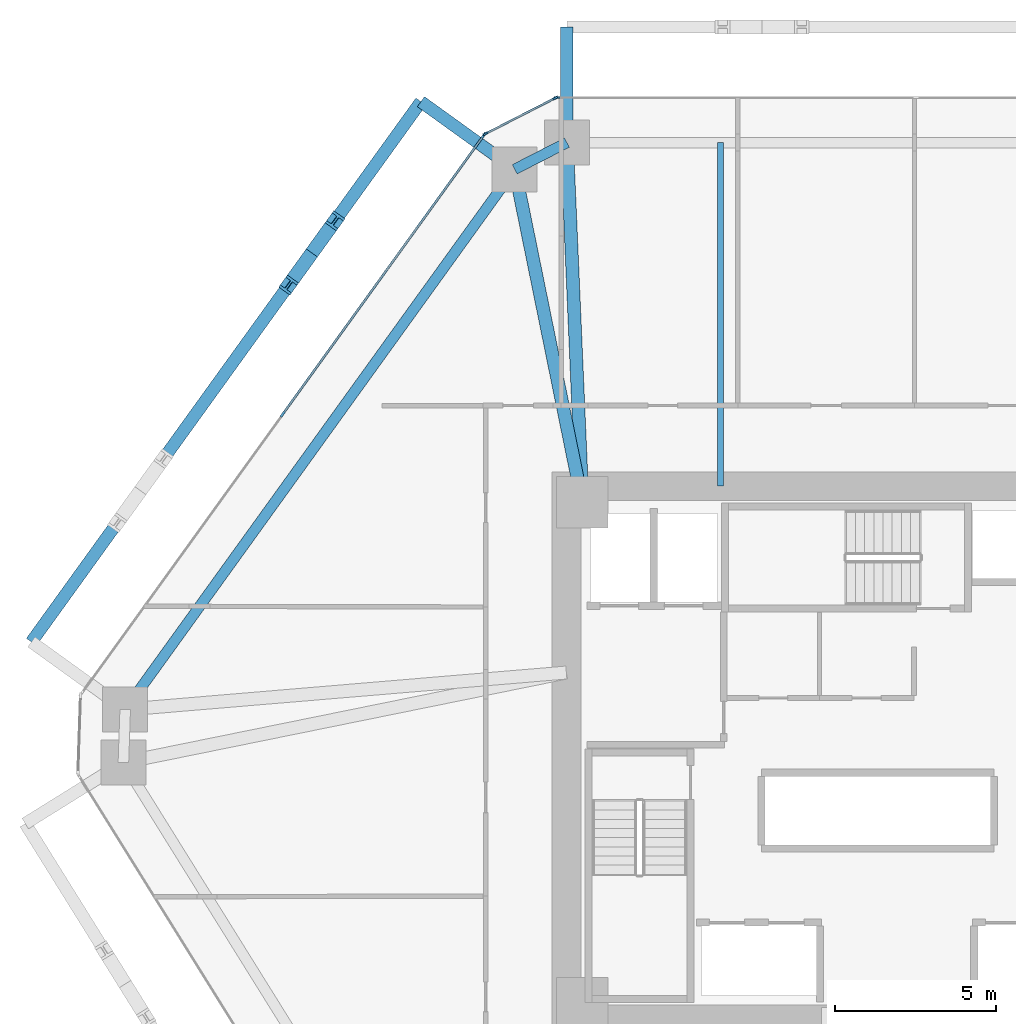
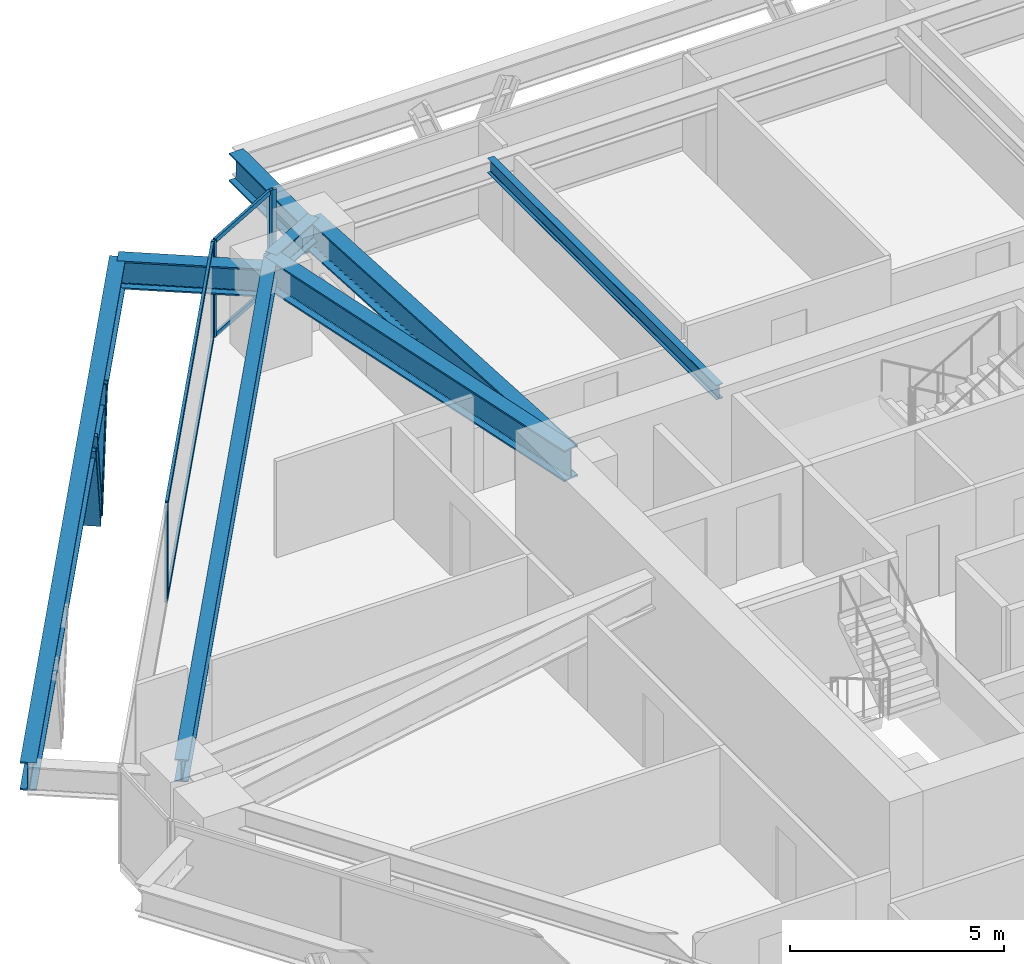
# One storey, part 7 of 15: 11 members, 8 beams, 3 elements without a shape of their own.
"""IFC4 building model written with IfcOpenShell, lengths in metres."""

from ifc_helpers import new_model, si_unit, direction, frame, origin, origin_2d, place, context, subcontext, project, spatial, rectangle, i_section, extrude, source, transform, mapped, material, layer, layer_set, material_profile, profile_set, type_object, type_shapes, element, aggregate, save


model = new_model("IFC4")

# Units and contexts
model_context = context("Model", 3, precision=1e-05, world=origin(), true_north=direction((0.0, 1.0)))
body_context = subcontext(model_context, "Body", "Model", "MODEL_VIEW")
ifc_project = project(units=[si_unit("LENGTHUNIT", "METRE"), si_unit("AREAUNIT", "SQUARE_METRE"), si_unit("VOLUMEUNIT", "CUBIC_METRE"), si_unit("PLANEANGLEUNIT", "RADIAN"), si_unit("MASSUNIT", "GRAM", prefix="KILO")], contexts=[model_context])

# Site, building, storey
site_placement = place(None, origin())
site = spatial("IfcSite", under=ifc_project, at=site_placement, CompositionType="ELEMENT")
building_placement = place(site_placement, origin())
building = spatial("IfcBuilding", under=site, at=building_placement, Name="Durnholm Broadcast Tower", CompositionType="ELEMENT")
storey_placement = place(building_placement, frame((0.0, 0.0, 75.300048828125)))
storey = spatial("IfcBuildingStorey", under=building, at=storey_placement, Name="L19", CompositionType="ELEMENT", Elevation=75.300048828125)

# Beams
ifc_material_1 = material(Name="Steel ASTM A992 Grade 50", Category="steel")
ifc_material_profile_1 = material_profile(ifc_material_1, i_section(OverallWidth=0.3291015625, OverallDepth=0.635009765625, WebThickness=0.017822265625, FlangeThickness=0.031005859375, FilletRadius=0.02783203125, at=origin_2d()), Name="W24X162")
ifc_profile_set_1 = profile_set([ifc_material_profile_1], Name="Steel ASTM A992 Grade 50")
beam_type_1 = type_object("IfcBeamType", Name="STL-SP-W24X162", PredefinedType="SPANDREL", material=ifc_profile_set_1)
shared_shape_1 = source(origin(), body_context, "Body", "SweptSolid", [
    extrude(i_section(OverallWidth=0.3291015625, OverallDepth=0.635009765625, WebThickness=0.017822265625, FlangeThickness=0.031005859375, FilletRadius=0.02783203125, at=origin_2d()), origin(), (0.0, 0.0, 1.0), 20.737060546875),
])
beam_1_placement = place(storey_placement, frame((-24.034912109375, 1.347412109375, 2.427490234375), z_axis=(0.584821933191, 0.811161701795, 0.0), x_axis=(-0.811161701795, 0.584821933191, 0.0)))
element("IfcBeam", 1, at=beam_1_placement, inside=storey, type_object=beam_type_1, Name="L19 perimeter spandrel girder 03", PredefinedType="SPANDREL", context=body_context, shape_type="MappedRepresentation", body=[
    mapped(shared_shape_1, transform((0.0, 0.0, 0.0), x_axis=(1.0, 0.0, 0.0), y_axis=(0.0, 1.0, 0.0), z_axis=(0.0, 0.0, 1.0), scale=1.0)),
])
shared_shape_2 = source(origin(), body_context, "Body", "SweptSolid", [
    extrude(i_section(OverallWidth=0.3291015625, OverallDepth=0.635009765625, WebThickness=0.017822265625, FlangeThickness=0.031005859375, FilletRadius=0.02783203125, at=origin_2d()), origin(), (0.0, 0.0, 1.0), 1.8251953125),
])
type_shapes(beam_type_1, [shared_shape_1, shared_shape_2])
beam_2_placement = place(storey_placement, frame((-11.907470703125, 18.16845703125, 2.427490234375), z_axis=(0.890187609501, 0.455594139438, 0.0), x_axis=(-0.455594139438, 0.890187609501, 0.0)))
element("IfcBeam", 2, at=beam_2_placement, inside=storey, type_object=beam_type_1, Name="L19 perimeter spandrel girder 04", PredefinedType="SPANDREL", context=body_context, shape_type="MappedRepresentation", body=[
    mapped(shared_shape_2, transform((0.0, 0.0, 0.0), x_axis=(1.0, 0.0, 0.0), y_axis=(0.0, 1.0, 0.0), z_axis=(0.0, 0.0, 1.0), scale=1.0)),
])
ifc_material_profile_2 = material_profile(ifc_material_1, i_section(OverallWidth=0.404052734375, OverallDepth=0.885009765625, WebThickness=0.0244140625, FlangeThickness=0.0439453125, FilletRadius=0.03564453125, at=origin_2d()), Name="W33X291")
ifc_profile_set_2 = profile_set([ifc_material_profile_2], Name="Steel ASTM A992 Grade 50")
beam_type_2 = type_object("IfcBeamType", Name="STL-GR-W33X291", PredefinedType="USERDEFINED", material=ifc_profile_set_2)
shared_shape_3 = source(origin(), body_context, "Body", "SweptSolid", [
    extrude(i_section(OverallWidth=0.404052734375, OverallDepth=0.885009765625, WebThickness=0.0244140625, FlangeThickness=0.0439453125, FilletRadius=0.03564453125, at=origin_2d()), origin(), (0.0, 0.0, 1.0), 10.580322265625),
])
beam_3_placement = place(storey_placement, frame((-9.800048828125, 7.800048828125, 2.302490234375), z_axis=(-0.199181458925, 0.979962625012, 0.0), x_axis=(-0.979962625012, -0.199181458925, 0.0)))
element("IfcBeam", 3, at=beam_3_placement, inside=storey, type_object=beam_type_2, Name="L19 radial primary floor girder 04", ObjectType="GIRDER", PredefinedType="USERDEFINED", context=body_context, shape_type="MappedRepresentation", body=[
    mapped(shared_shape_3, transform((0.0, 0.0, 0.0), x_axis=(1.0, 0.0, 0.0), y_axis=(0.0, 1.0, 0.0), z_axis=(0.0, 0.0, 1.0), scale=1.0)),
])
shared_shape_4 = source(origin(), body_context, "Body", "SweptSolid", [
    extrude(i_section(OverallWidth=0.404052734375, OverallDepth=0.885009765625, WebThickness=0.0244140625, FlangeThickness=0.0439453125, FilletRadius=0.03564453125, at=origin_2d()), origin(), (0.0, 0.0, 1.0), 11.21044921875),
])
type_shapes(beam_type_2, [shared_shape_3, shared_shape_4])
beam_4_placement = place(storey_placement, frame((-9.800048828125, 7.800048828125, 2.302490234375), z_axis=(-0.043055404914, 0.999072686098, 0.0), x_axis=(-0.999072686098, -0.043055404914, 0.0)))
element("IfcBeam", 4, at=beam_4_placement, inside=storey, type_object=beam_type_2, Name="L19 radial primary floor girder 05", ObjectType="GIRDER", PredefinedType="USERDEFINED", context=body_context, shape_type="MappedRepresentation", body=[
    mapped(shared_shape_4, transform((0.0, 0.0, 0.0), x_axis=(1.0, 0.0, 0.0), y_axis=(0.0, 1.0, 0.0), z_axis=(0.0, 0.0, 1.0), scale=1.0)),
])
ifc_material_profile_3 = material_profile(ifc_material_1, i_section(OverallWidth=0.180908203125, OverallDepth=0.417236328125, WebThickness=0.010986328125, FlangeThickness=0.018310546875, FilletRadius=0.01904296875, at=origin_2d()), Name="W16X57")
ifc_profile_set_3 = profile_set([ifc_material_profile_3], Name="Steel ASTM A992 Grade 50")
beam_type_3 = type_object("IfcBeamType", Name="STL-BJ-W16X57", PredefinedType="JOIST", material=ifc_profile_set_3)
shared_shape_5 = source(origin(), body_context, "Body", "SweptSolid", [
    extrude(i_section(OverallWidth=0.180908203125, OverallDepth=0.417236328125, WebThickness=0.010986328125, FlangeThickness=0.018310546875, FilletRadius=0.01904296875, at=origin_2d()), origin(), (0.0, 0.0, 1.0), 10.699951171875),
])
type_shapes(beam_type_3, [shared_shape_5])
beam_5_placement = place(storey_placement, frame((-5.5, 8.300048828125, 2.5361328125), z_axis=(0.0, 1.0, 0.0), x_axis=(-1.0, 0.0, 0.0)))
element("IfcBeam", 5, at=beam_5_placement, inside=storey, type_object=beam_type_3, Name="L19 secondary floor joist 3.2", PredefinedType="JOIST", context=body_context, shape_type="MappedRepresentation", body=[
    mapped(shared_shape_5, transform((0.0, 0.0, 0.0), x_axis=(1.0, 0.0, 0.0), y_axis=(0.0, 1.0, 0.0), z_axis=(0.0, 0.0, 1.0), scale=1.0)),
])
ifc_material_profile_4 = material_profile(ifc_material_1, i_section(OverallWidth=0.385009765625, OverallDepth=0.802978515625, WebThickness=0.023681640625, FlangeThickness=0.0419921875, FilletRadius=0.032958984375, at=origin_2d()), Name="W30X261")
ifc_profile_set_4 = profile_set([ifc_material_profile_4], Name="Steel ASTM A992 Grade 50")
beam_type_4 = type_object("IfcBeamType", Name="BM-EXO-TIE", PredefinedType="USERDEFINED", material=ifc_profile_set_4)
shared_shape_6 = source(origin(), body_context, "Body", "SweptSolid", [
    extrude(i_section(OverallWidth=0.385009765625, OverallDepth=0.802978515625, WebThickness=0.023681640625, FlangeThickness=0.0419921875, FilletRadius=0.032958984375, at=origin_2d()), origin(), (0.0, 0.0, 1.0), 3.4560546875),
])
for number, where, z_axis, x_axis, name in (
    (6, (-10.28271484375, 19.14404296875, 2.008544921875), (0.0, 1.0, 0.0), (-1.0, 0.0, 0.0), "L19 exoskeleton stand-off tie bracket F4.2"),
    (7, (-12.024169921875, 18.252685546875, 2.008544921875), (-0.811157675106, 0.584827518262, 0.0), (-0.584827518262, -0.811157675106, 0.0), "L19 exoskeleton stand-off tie bracket F5.1"),
):
    element("IfcBeam", number, at=place(storey_placement, frame(where, z_axis=z_axis, x_axis=x_axis)), inside=storey, type_object=beam_type_4, Name=name, ObjectType="GIRDER", PredefinedType="USERDEFINED", context=body_context, shape_type="MappedRepresentation", body=[
        mapped(shared_shape_6, transform((0.0, 0.0, 0.0), x_axis=(1.0, 0.0, 0.0), y_axis=(0.0, 1.0, 0.0), z_axis=(0.0, 0.0, 1.0), scale=1.0)),
    ])
shared_shape_7 = source(origin(), body_context, "Body", "SweptSolid", [
    extrude(i_section(OverallWidth=0.385009765625, OverallDepth=0.802978515625, WebThickness=0.023681640625, FlangeThickness=0.0419921875, FilletRadius=0.032958984375, at=origin_2d()), origin(), (0.0, 0.0, 1.0), 20.737060546875),
])
type_shapes(beam_type_4, [shared_shape_6, shared_shape_7])
beam_6_placement = place(storey_placement, frame((-14.82763671875, 20.27392578125, 2.008544921875), z_axis=(-0.5848163482, -0.811165728368, 0.0), x_axis=(0.811165728368, -0.5848163482, 0.0)))
element("IfcBeam", 8, at=beam_6_placement, inside=storey, type_object=beam_type_4, Name="L19 exoskeleton collector spandrel F5", PredefinedType="SPANDREL", context=body_context, shape_type="MappedRepresentation", body=[
    mapped(shared_shape_7, transform((0.0, 0.0, 0.0), x_axis=(1.0, 0.0, 0.0), y_axis=(0.0, 1.0, 0.0), z_axis=(0.0, 0.0, 1.0), scale=1.0)),
])

# Members
ifc_material_2 = material(Name="Steel ASTM A913 Grade 65", Category="steel")
ifc_material_profile_5 = material_profile(ifc_material_2, i_section(OverallWidth=0.43212890625, OverallDepth=0.497802734375, WebThickness=0.0556640625, FlangeThickness=0.0888671875, FilletRadius=0.030517578125, at=origin_2d()), Name="W14X500")
ifc_profile_set_5 = profile_set([ifc_material_profile_5], Name="Steel ASTM A913 Grade 65")
member_type_1 = type_object("IfcMemberType", Name="STL-DG-W14X500", PredefinedType="BRACE", material=ifc_profile_set_5)
shared_shape_8 = source(origin(), body_context, "Body", "SweptSolid", [
    extrude(i_section(OverallWidth=0.43212890625, OverallDepth=0.497802734375, WebThickness=0.0556640625, FlangeThickness=0.0888671875, FilletRadius=0.030517578125, at=origin_2d()), origin(), (0.0, 0.0, 1.0), 3.243896484375),
])
member_1_placement = place(storey_placement, frame((-18.223388671875, 15.56396484375, -0.991455078125), z_axis=(0.222479198439, 0.308505492017, 0.924839103659), x_axis=(-0.81109123444, 0.58491966065, 0.0)))
element("IfcMember", 9, at=member_1_placement, inside=storey, type_object=member_type_1, Name="L19 stand-off diagrid brace F5.D1.1", PredefinedType="BRACE", context=body_context, shape_type="MappedRepresentation", body=[
    mapped(shared_shape_8, transform((0.0, 0.0, 0.0), x_axis=(1.0, 0.0, 0.0), y_axis=(0.0, 1.0, 0.0), z_axis=(0.0, 0.0, 1.0), scale=1.0)),
])
shared_shape_9 = source(origin(), body_context, "Body", "SweptSolid", [
    extrude(i_section(OverallWidth=0.43212890625, OverallDepth=0.497802734375, WebThickness=0.0556640625, FlangeThickness=0.0888671875, FilletRadius=0.030517578125, at=origin_2d()), origin(), (0.0, 0.0, 1.0), 3.24365234375),
])
type_shapes(member_type_1, [shared_shape_8, shared_shape_9])
member_2_placement = place(storey_placement, frame((-18.223388671875, 15.56396484375, -0.991455078125), z_axis=(-0.222407658365, -0.308510657069, 0.924854587476), x_axis=(0.811185111535, -0.584789461963, 0.0)))
element("IfcMember", 10, at=member_2_placement, inside=storey, type_object=member_type_1, Name="L19 stand-off diagrid brace F5.D1.2", PredefinedType="BRACE", context=body_context, shape_type="MappedRepresentation", body=[
    mapped(shared_shape_9, transform((0.0, 0.0, 0.0), x_axis=(1.0, 0.0, 0.0), y_axis=(0.0, 1.0, 0.0), z_axis=(0.0, 0.0, 1.0), scale=1.0)),
])

# Curtain wall, members
ifc_material_3 = material(Name="Aluminium and Solar Control IGU", Category="aluminium")
ifc_layer_1 = layer(ifc_material_3, 0.1650390625)
ifc_layer_set_1 = layer_set([ifc_layer_1], Name="Aluminium and Solar Control IGU")
curtain_wall_type_1 = type_object("IfcCurtainWallType", Name="CW-SYS-5", PredefinedType="NOTDEFINED", material=ifc_layer_set_1)
curtain_wall_1_placement = place(storey_placement, origin())
curtain_wall_1 = element("IfcCurtainWall", 11, at=curtain_wall_1_placement, inside=storey, type_object=curtain_wall_type_1, Name="L19 curtain wall CW-CORNER CW-L19-CRN-03", PredefinedType="NOTDEFINED")
ifc_material_4 = material(Name="Aluminium 6063-T6", Category="aluminium")
ifc_material_profile_6 = material_profile(ifc_material_4, rectangle(XDim=0.06494140625, YDim=0.1298828125, at=origin_2d()), Name="CWT65X130")
ifc_profile_set_6 = profile_set([ifc_material_profile_6], Name="Aluminium 6063-T6")
member_type_2 = type_object("IfcMemberType", Name="CW-SYS-5-TRN", PredefinedType="USERDEFINED", material=ifc_profile_set_6)
shared_shape_10 = source(origin(), body_context, "Body", "SweptSolid", [
    extrude(rectangle(XDim=0.06494140625, YDim=0.1298828125, at=origin_2d()), origin(), (0.0, 0.0, 1.0), 2.3701171875),
])
type_shapes(member_type_2, [shared_shape_10])
member_3_placement = place(storey_placement, frame((-12.787841796875, 19.29052734375, 0.032470703125), z_axis=(0.890185016934, 0.455599205033, 0.0), x_axis=(-0.455599205033, 0.890185016934, 0.0)))
member_3 = element("IfcMember", 12, at=member_3_placement, type_object=member_type_2, Name="CW-CORNER transom 1.1", ObjectType="TRANSOM", PredefinedType="USERDEFINED", context=body_context, shape_type="MappedRepresentation", body=[
    mapped(shared_shape_10, transform((0.0, 0.0, 0.0), x_axis=(1.0, 0.0, 0.0), y_axis=(0.0, 1.0, 0.0), z_axis=(0.0, 0.0, 1.0), scale=1.0)),
])
member_4_placement = place(storey_placement, frame((-12.787841796875, 19.29052734375, 2.7275390625), z_axis=(0.890185016934, 0.455599205033, 0.0), x_axis=(-0.455599205033, 0.890185016934, 0.0)))
member_4 = element("IfcMember", 13, at=member_4_placement, type_object=member_type_2, Name="CW-CORNER transom 1.2", ObjectType="TRANSOM", PredefinedType="USERDEFINED", context=body_context, shape_type="MappedRepresentation", body=[
    mapped(shared_shape_10, transform((0.0, 0.0, 0.0), x_axis=(1.0, 0.0, 0.0), y_axis=(0.0, 1.0, 0.0), z_axis=(0.0, 0.0, 1.0), scale=1.0)),
])

ifc_layer_2 = layer(ifc_material_3, 0.18994140625)
ifc_layer_set_2 = layer_set([ifc_layer_2], Name="Aluminium and Solar Control IGU")
curtain_wall_type_2 = type_object("IfcCurtainWallType", Name="CW-SYS-3", PredefinedType="NOTDEFINED", material=ifc_layer_set_2)
curtain_wall_2_placement = place(storey_placement, origin())
curtain_wall_2 = element("IfcCurtainWall", 14, at=curtain_wall_2_placement, inside=storey, type_object=curtain_wall_type_2, Name="L19 curtain wall CW-Z12-VIS CW-L19-F02", PredefinedType="NOTDEFINED")
ifc_material_profile_7 = material_profile(ifc_material_4, rectangle(XDim=0.070068359375, YDim=0.14990234375, at=origin_2d()), Name="CWT70X150")
ifc_profile_set_7 = profile_set([ifc_material_profile_7], Name="Aluminium 6063-T6")
member_type_3 = type_object("IfcMemberType", Name="CW-SYS-3-TRN", PredefinedType="USERDEFINED", material=ifc_profile_set_7)
shared_shape_11 = source(origin(), body_context, "Body", "SweptSolid", [
    extrude(rectangle(XDim=0.070068359375, YDim=0.14990234375, at=origin_2d()), origin(), (0.0, 0.0, 1.0), 10.645263671875),
])
type_shapes(member_type_3, [shared_shape_11])
member_5_placement = place(storey_placement, frame((-19.1123046875, 10.569091796875, 0.034912109375), z_axis=(0.584822983179, 0.811160944786, 0.0), x_axis=(-0.811160944786, 0.584822983179, 0.0)))
member_5 = element("IfcMember", 15, at=member_5_placement, type_object=member_type_3, Name="CW-Z12-VIS transom 2.1", ObjectType="TRANSOM", PredefinedType="USERDEFINED", context=body_context, shape_type="MappedRepresentation", body=[
    mapped(shared_shape_11, transform((0.0, 0.0, 0.0), x_axis=(1.0, 0.0, 0.0), y_axis=(0.0, 1.0, 0.0), z_axis=(0.0, 0.0, 1.0), scale=1.0)),
])
member_6_placement = place(storey_placement, frame((-19.1123046875, 10.569091796875, 2.724853515625), z_axis=(0.584822983179, 0.811160944786, 0.0), x_axis=(-0.811160944786, 0.584822983179, 0.0)))
member_6 = element("IfcMember", 16, at=member_6_placement, type_object=member_type_3, Name="CW-Z12-VIS transom 2.2", ObjectType="TRANSOM", PredefinedType="USERDEFINED", context=body_context, shape_type="MappedRepresentation", body=[
    mapped(shared_shape_11, transform((0.0, 0.0, 0.0), x_axis=(1.0, 0.0, 0.0), y_axis=(0.0, 1.0, 0.0), z_axis=(0.0, 0.0, 1.0), scale=1.0)),
])

# Member
ifc_material_profile_8 = material_profile(ifc_material_4, rectangle(XDim=0.06494140625, YDim=0.1650390625, at=origin_2d()), Name="CWM65X165")
ifc_profile_set_8 = profile_set([ifc_material_profile_8], Name="Aluminium 6063-T6")
member_type_4 = type_object("IfcMemberType", Name="CW-SYS-5-MUL", PredefinedType="MULLION", material=ifc_profile_set_8)
shared_shape_12 = source(origin(), body_context, "Body", "SweptSolid", [
    extrude(rectangle(XDim=0.06494140625, YDim=0.1650390625, at=origin_2d()), origin(), (0.0, 0.0, 1.0), 2.760009765625),
])
type_shapes(member_type_4, [shared_shape_12])
member_7_placement = place(storey_placement, frame((-12.816650390625, 19.27587890625, 0.0), z_axis=(0.0, 0.0, 1.0), x_axis=(-0.455593758406, 0.890187804512, 0.0)))
member_7 = element("IfcMember", 17, at=member_7_placement, type_object=member_type_4, Name="CW-CORNER mullion 1", PredefinedType="MULLION", context=body_context, shape_type="MappedRepresentation", body=[
    mapped(shared_shape_12, transform((0.0, 0.0, 0.0), x_axis=(1.0, 0.0, 0.0), y_axis=(0.0, 1.0, 0.0), z_axis=(0.0, 0.0, 1.0), scale=1.0)),
])

member_8_placement = place(storey_placement, frame((-10.649169921875, 20.38525390625, 0.0), z_axis=(0.0, 0.0, 1.0), x_axis=(-0.455593758406, 0.890187804512, 0.0)))
member_8 = element("IfcMember", 18, at=member_8_placement, type_object=member_type_4, Name="CW-CORNER mullion 2", PredefinedType="MULLION", context=body_context, shape_type="MappedRepresentation", body=[
    mapped(shared_shape_12, transform((0.0, 0.0, 0.0), x_axis=(1.0, 0.0, 0.0), y_axis=(0.0, 1.0, 0.0), z_axis=(0.0, 0.0, 1.0), scale=1.0)),
])

aggregate(curtain_wall_1, [member_7, member_8, member_3, member_4])

ifc_material_profile_9 = material_profile(ifc_material_4, rectangle(XDim=0.070068359375, YDim=0.18994140625, at=origin_2d()), Name="CWM70X190")
ifc_profile_set_9 = profile_set([ifc_material_profile_9], Name="Aluminium 6063-T6")
member_type_5 = type_object("IfcMemberType", Name="CW-SYS-3-MUL", PredefinedType="MULLION", material=ifc_profile_set_9)
shared_shape_13 = source(origin(), body_context, "Body", "SweptSolid", [
    extrude(rectangle(XDim=0.070068359375, YDim=0.18994140625, at=origin_2d()), origin(), (0.0, 0.0, 1.0), 2.760009765625),
])
type_shapes(member_type_5, [shared_shape_13])
member_9_placement = place(storey_placement, frame((-19.1328125, 10.540771484375, 0.0), z_axis=(0.0, 0.0, 1.0), x_axis=(-0.81116057493, 0.584823496176, 0.0)))
member_9 = element("IfcMember", 19, at=member_9_placement, type_object=member_type_5, Name="CW-Z12-VIS mullion 2", PredefinedType="MULLION", context=body_context, shape_type="MappedRepresentation", body=[
    mapped(shared_shape_13, transform((0.0, 0.0, 0.0), x_axis=(1.0, 0.0, 0.0), y_axis=(0.0, 1.0, 0.0), z_axis=(0.0, 0.0, 1.0), scale=1.0)),
])

member_10_placement = place(storey_placement, frame((-12.8662109375, 19.232666015625, 0.0), z_axis=(0.0, 0.0, 1.0), x_axis=(-0.81116057493, 0.584823496176, 0.0)))
member_10 = element("IfcMember", 20, at=member_10_placement, type_object=member_type_5, Name="CW-Z12-VIS mullion 3", PredefinedType="MULLION", context=body_context, shape_type="MappedRepresentation", body=[
    mapped(shared_shape_13, transform((0.0, 0.0, 0.0), x_axis=(1.0, 0.0, 0.0), y_axis=(0.0, 1.0, 0.0), z_axis=(0.0, 0.0, 1.0), scale=1.0)),
])

aggregate(curtain_wall_2, [member_9, member_10, member_5, member_6])

# Curtain wall, member
curtain_wall_3_placement = place(storey_placement, origin())
curtain_wall_3 = element("IfcCurtainWall", 21, at=curtain_wall_3_placement, inside=storey, type_object=curtain_wall_type_2, Name="L19 curtain wall CW-Z12-VIS CW-L19-F04", PredefinedType="NOTDEFINED")
member_11_placement = place(storey_placement, frame((-10.585205078125, 20.39990234375, 0.0), z_axis=(0.0, 0.0, 1.0), x_axis=(0.0, 1.0, 0.0)))
member_11 = element("IfcMember", 22, at=member_11_placement, type_object=member_type_5, Name="CW-Z12-VIS mullion 1", PredefinedType="MULLION", context=body_context, shape_type="MappedRepresentation", body=[
    mapped(shared_shape_13, transform((0.0, 0.0, 0.0), x_axis=(1.0, 0.0, 0.0), y_axis=(0.0, 1.0, 0.0), z_axis=(0.0, 0.0, 1.0), scale=1.0)),
])
aggregate(curtain_wall_3, [member_11])

save(model, "model.ifc")
